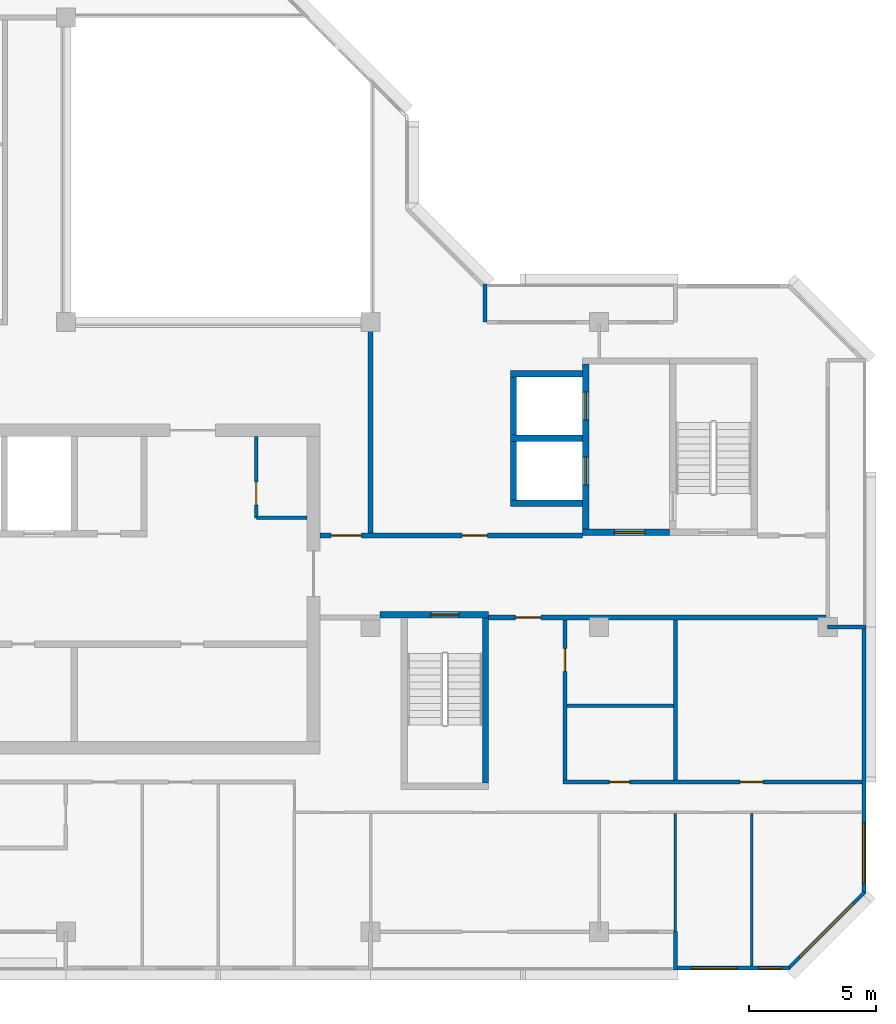
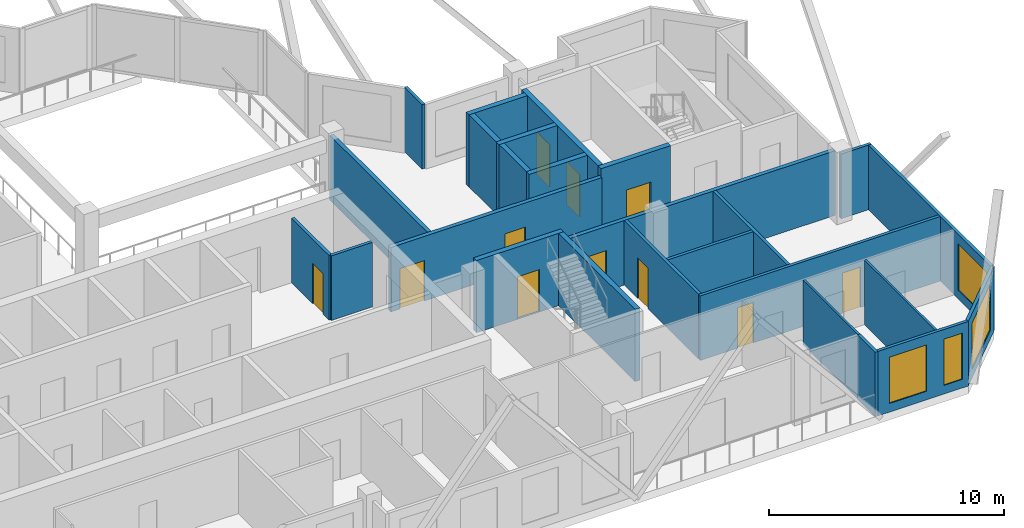
# One storey, part 6 of 12: 26 walls, 11 doors, 4 windows, 15 openings.
"""IFC4 building model written with IfcOpenShell, lengths in metres."""

from ifc_helpers import new_model, si_unit, direction, frame, frame_2d, origin, place, context, subcontext, project, spatial, rectangle, extrude, material, layer, layer_set, type_object, element, fill, save


model = new_model("IFC4")

# Units and contexts
model_context = context("Model", 3, precision=1e-05, world=origin(), true_north=direction((0.0, 1.0)))
body_context = subcontext(model_context, "Body", "Model", "MODEL_VIEW")
ifc_project = project(units=[si_unit("LENGTHUNIT", "METRE"), si_unit("AREAUNIT", "SQUARE_METRE"), si_unit("VOLUMEUNIT", "CUBIC_METRE"), si_unit("PLANEANGLEUNIT", "RADIAN"), si_unit("MASSUNIT", "GRAM", prefix="KILO")], contexts=[model_context])

# Site, building, storey
site_placement = place(None, origin())
site = spatial("IfcSite", under=ifc_project, at=site_placement, CompositionType="ELEMENT")
building_placement = place(site_placement, origin())
building = spatial("IfcBuilding", under=site, at=building_placement, Name="Chenar Terraces", CompositionType="ELEMENT")
storey_placement = place(building_placement, frame((0.0, 0.0, 346.39990234375)))
storey = spatial("IfcBuildingStorey", under=building, at=storey_placement, Name="L80", CompositionType="ELEMENT", Elevation=346.39990234375)

# Wall, opening, door
ifc_material_1 = material(Name="Gypsum board on steel studs", Category="steel")
ifc_layer_1 = layer(ifc_material_1, 0.14990234375)
ifc_layer_set_1 = layer_set([ifc_layer_1], Name="Gypsum board on steel studs")
wall_type_1 = type_object("IfcWallType", Name="Core partition 150 gypsum board", PredefinedType="PARTITIONING", material=ifc_layer_set_1)
wall_1_placement = place(storey_placement, frame((31.5, 16.300048828125, 0.0), z_axis=(0.0, 0.0, 1.0), x_axis=(0.0, 1.0, 0.0)))
wall_1 = element("IfcWall", 1, at=wall_1_placement, inside=storey, type_object=wall_type_1, Name="Core partition CP1 vestibule room west wall", PredefinedType="PARTITIONING", context=body_context, shape_type="SweptSolid", body=[
    extrude(rectangle(XDim=3.199951171875, YDim=0.14990234375, at=frame_2d((1.60009765625, 0.0))), origin(), (0.0, 0.0, 1.0), 3.35009765625),
])
opening_1_placement = place(wall_1_placement, frame((0.5, 0.0, 0.0)))
opening_1 = element("IfcOpeningElement", 2, at=opening_1_placement, cuts=wall_1, Name="Opening DL80-C17", PredefinedType="OPENING", context=body_context, shape_type="SweptSolid", body=[
    extrude(rectangle(XDim=0.89990234375, YDim=2.10009765625, at=frame_2d((0.449951171875, 1.050048828125))), frame((0.0, 0.0849609375, 0.0), z_axis=(0.0, -1.0, 0.0), x_axis=(1.0, 0.0, 0.0)), (0.0, 0.0, 1.0), 0.169921875),
])
ifc_material_2 = material(Name="Steel-framed fire-resisting door leaf", Category="steel")
door_type_1 = type_object("IfcDoorType", Name="Riser fire door FD60 900 x 2100", OperationType="SINGLE_SWING_LEFT", PredefinedType="DOOR", material=ifc_material_2)
door_1_placement = place(opening_1_placement, frame((0.89990234375, 0.0, 0.0), z_axis=(0.0, 0.0, 1.0), x_axis=(-1.0, 0.0, 0.0)))
door_1 = element("IfcDoor", 3, at=door_1_placement, inside=storey, type_object=door_type_1, Name="Core room door DL80-C17", OperationType="SINGLE_SWING_RIGHT", OverallHeight=2.10009765625, OverallWidth=0.89990234375, PredefinedType="DOOR", context=body_context, shape_type="SweptSolid", body=[
    extrude(rectangle(XDim=0.89990234375, YDim=2.10009765625, at=frame_2d((0.449951171875, 1.050048828125))), frame((0.0, 0.02490234375, 0.0), z_axis=(0.0, -1.0, 0.0), x_axis=(1.0, 0.0, 0.0)), (0.0, 0.0, 1.0), 0.050048828125),
])
fill(opening_1, door_1)

# Wall
wall_2_placement = place(storey_placement, frame((31.5, 16.300048828125, 0.0), z_axis=(0.0, 0.0, 1.0), x_axis=(1.0, 0.0, 0.0)))
element("IfcWall", 4, at=wall_2_placement, inside=storey, type_object=wall_type_1, Name="Core partition CP1 vestibule room south wall", PredefinedType="PARTITIONING", context=body_context, shape_type="SweptSolid", body=[
    extrude(rectangle(XDim=2.0, YDim=0.14990234375, at=frame_2d((1.0, 0.0))), origin(), (0.0, 0.0, 1.0), 3.35009765625),
])

# Wall, opening, door
ifc_material_3 = material(Name="Concrete C50/60", Category="concrete")
ifc_layer_2 = layer(ifc_material_3, 0.25)
ifc_layer_set_2 = layer_set([ifc_layer_2], Name="Concrete C50/60")
wall_type_2 = type_object("IfcWallType", Name="Core wall 250 Concrete C50/60", PredefinedType="SHEAR", material=ifc_layer_set_2)
wall_3_placement = place(storey_placement, frame((36.375, 12.47509765625, 0.0), z_axis=(0.0, 0.0, 1.0), x_axis=(1.0, 0.0, 0.0)))
wall_3 = element("IfcWall", 5, at=wall_3_placement, inside=storey, type_object=wall_type_2, Name="Core wall ST2_N L80", PredefinedType="SHEAR", context=body_context, shape_type="SweptSolid", body=[
    extrude(rectangle(XDim=4.27490234375, YDim=0.25, at=frame_2d((2.137451171875, 0.0))), origin(), (0.0, 0.0, 1.0), 3.75),
])
opening_2_placement = place(wall_3_placement, frame((2.0, 0.0, 0.0)))
opening_2 = element("IfcOpeningElement", 6, at=opening_2_placement, cuts=wall_3, Name="Opening DL80-C7", PredefinedType="OPENING", context=body_context, shape_type="SweptSolid", body=[
    extrude(rectangle(XDim=1.10009765625, YDim=2.199951171875, at=frame_2d((0.550048828125, 1.10009765625))), frame((0.0, 0.135009765625, 0.0), z_axis=(0.0, -1.0, 0.0), x_axis=(1.0, 0.0, 0.0)), (0.0, 0.0, 1.0), 0.27001953125),
])
ifc_material_4 = material(Name="Steel-framed fire-resisting door leaf", Category="steel")
door_type_2 = type_object("IfcDoorType", Name="Stair fire door FD60 1100 x 2200", OperationType="SINGLE_SWING_LEFT", PredefinedType="DOOR", material=ifc_material_4)
door_2_placement = place(opening_2_placement, frame((1.10009765625, 0.0, 0.0), z_axis=(0.0, 0.0, 1.0), x_axis=(-1.0, 0.0, 0.0)))
door_2 = element("IfcDoor", 7, at=door_2_placement, inside=storey, type_object=door_type_2, Name="Stair door DL80-C7", OperationType="SINGLE_SWING_LEFT", OverallHeight=2.199951171875, OverallWidth=1.10009765625, PredefinedType="DOOR", context=body_context, shape_type="SweptSolid", body=[
    extrude(rectangle(XDim=1.10009765625, YDim=2.199951171875, at=frame_2d((0.550048828125, 1.10009765625))), frame((0.0, 0.02490234375, 0.0), z_axis=(0.0, -1.0, 0.0), x_axis=(1.0, 0.0, 0.0)), (0.0, 0.0, 1.0), 0.050048828125),
])
fill(opening_2, door_2)

# Wall
wall_4_placement = place(storey_placement, frame((40.52490234375, 5.85009765625, 0.0), z_axis=(0.0, 0.0, 1.0), x_axis=(0.0, 1.0, 0.0)))
element("IfcWall", 8, at=wall_4_placement, inside=storey, type_object=wall_type_2, Name="Core wall ST2_E L80", PredefinedType="SHEAR", context=body_context, shape_type="SweptSolid", body=[
    extrude(rectangle(XDim=6.5, YDim=0.25, at=frame_2d((3.25, 0.0))), origin(), (0.0, 0.0, 1.0), 3.75),
])

# Wall, opening, door
wall_5_placement = place(storey_placement, frame((44.35009765625, 15.72509765625, 0.0), z_axis=(0.0, 0.0, 1.0), x_axis=(1.0, 0.0, 0.0)))
wall_5 = element("IfcWall", 9, at=wall_5_placement, inside=storey, type_object=wall_type_2, Name="Core wall F3_LS L80", PredefinedType="SHEAR", context=body_context, shape_type="SweptSolid", body=[
    extrude(rectangle(XDim=3.4248046875, YDim=0.25, at=frame_2d((1.71240234375, 0.0))), origin(), (0.0, 0.0, 1.0), 3.75),
])
opening_3_placement = place(wall_5_placement, frame((1.25, 0.0, 0.0)))
opening_3 = element("IfcOpeningElement", 10, at=opening_3_placement, cuts=wall_5, Name="Opening DL80-C10", PredefinedType="OPENING", context=body_context, shape_type="SweptSolid", body=[
    extrude(rectangle(XDim=1.199951171875, YDim=2.199951171875, at=frame_2d((0.60009765625, 1.10009765625))), frame((0.0, 0.135009765625, 0.0), z_axis=(0.0, -1.0, 0.0), x_axis=(1.0, 0.0, 0.0)), (0.0, 0.0, 1.0), 0.27001953125),
])
ifc_material_5 = material(Name="Steel-framed fire-resisting door leaf", Category="steel")
door_type_3 = type_object("IfcDoorType", Name="Lobby fire door FD60 1200 x 2200", OperationType="SINGLE_SWING_LEFT", PredefinedType="DOOR", material=ifc_material_5)
door_3_placement = place(opening_3_placement, origin())
door_3 = element("IfcDoor", 11, at=door_3_placement, inside=storey, type_object=door_type_3, Name="Core door DL80-C10", OperationType="SINGLE_SWING_RIGHT", OverallHeight=2.199951171875, OverallWidth=1.199951171875, PredefinedType="DOOR", context=body_context, shape_type="SweptSolid", body=[
    extrude(rectangle(XDim=1.199951171875, YDim=2.199951171875, at=frame_2d((0.60009765625, 1.10009765625))), frame((0.0, 0.02490234375, 0.0), z_axis=(0.0, -1.0, 0.0), x_axis=(1.0, 0.0, 0.0)), (0.0, 0.0, 1.0), 0.050048828125),
])
fill(opening_3, door_3)

# Wall, openings, doors
wall_6_placement = place(storey_placement, frame((44.47509765625, 15.85009765625, 0.0), z_axis=(0.0, 0.0, 1.0), x_axis=(0.0, 1.0, 0.0)))
wall_6 = element("IfcWall", 12, at=wall_6_placement, inside=storey, type_object=wall_type_2, Name="Core wall F3_LW L80", PredefinedType="SHEAR", context=body_context, shape_type="SweptSolid", body=[
    extrude(rectangle(XDim=6.5, YDim=0.25, at=frame_2d((3.25, 0.0))), origin(), (0.0, 0.0, 1.0), 3.75),
])
opening_4_placement = place(wall_6_placement, frame((1.75, 0.0, 0.0)))
opening_4 = element("IfcOpeningElement", 13, at=opening_4_placement, cuts=wall_6, Name="Opening DL80-LD8", PredefinedType="OPENING", context=body_context, shape_type="SweptSolid", body=[
    extrude(rectangle(XDim=1.10009765625, YDim=2.199951171875, at=frame_2d((0.550048828125, 1.10009765625))), frame((0.0, 0.135009765625, 0.0), z_axis=(0.0, -1.0, 0.0), x_axis=(1.0, 0.0, 0.0)), (0.0, 0.0, 1.0), 0.27001953125),
])
opening_5_placement = place(wall_6_placement, frame((4.300048828125, 0.0, 0.0)))
opening_5 = element("IfcOpeningElement", 14, at=opening_5_placement, cuts=wall_6, Name="Opening DL80-LD9", PredefinedType="OPENING", context=body_context, shape_type="SweptSolid", body=[
    extrude(rectangle(XDim=1.10009765625, YDim=2.199951171875, at=frame_2d((0.550048828125, 1.10009765625))), frame((0.0, 0.135009765625, 0.0), z_axis=(0.0, -1.0, 0.0), x_axis=(1.0, 0.0, 0.0)), (0.0, 0.0, 1.0), 0.27001953125),
])
ifc_material_6 = material(Name="Stainless steel", Category="steel")
door_type_4 = type_object("IfcDoorType", Name="Lift landing door 1100 x 2200 sliding", OperationType="DOUBLE_DOOR_SLIDING", PredefinedType="DOOR", material=ifc_material_6)
door_4_placement = place(opening_4_placement, origin())
door_4 = element("IfcDoor", 15, at=door_4_placement, inside=storey, type_object=door_type_4, Name="Landing door F3", OperationType="DOUBLE_DOOR_SLIDING", OverallHeight=2.199951171875, OverallWidth=1.10009765625, PredefinedType="DOOR", context=body_context, shape_type="SweptSolid", body=[
    extrude(rectangle(XDim=1.10009765625, YDim=2.199951171875, at=frame_2d((0.550048828125, 1.10009765625))), frame((0.0, 0.02490234375, 0.0), z_axis=(0.0, -1.0, 0.0), x_axis=(1.0, 0.0, 0.0)), (0.0, 0.0, 1.0), 0.050048828125),
])
fill(opening_4, door_4)
door_5_placement = place(opening_5_placement, origin())
door_5 = element("IfcDoor", 16, at=door_5_placement, inside=storey, type_object=door_type_4, Name="Landing door F4", OperationType="DOUBLE_DOOR_SLIDING", OverallHeight=2.199951171875, OverallWidth=1.10009765625, PredefinedType="DOOR", context=body_context, shape_type="SweptSolid", body=[
    extrude(rectangle(XDim=1.10009765625, YDim=2.199951171875, at=frame_2d((0.550048828125, 1.10009765625))), frame((0.0, 0.02490234375, 0.0), z_axis=(0.0, -1.0, 0.0), x_axis=(1.0, 0.0, 0.0)), (0.0, 0.0, 1.0), 0.050048828125),
])
fill(opening_5, door_5)

# Walls
for number, where, z_axis, x_axis, name in (
    (17, (41.5, 16.875, 0.0), (0.0, 0.0, 1.0), (1.0, 0.0, 0.0), "Core wall F3_SS L80"),
    (18, (41.5, 19.425048828125, 0.0), (0.0, 0.0, 1.0), (1.0, 0.0, 0.0), "Core wall F3_SM L80"),
    (19, (41.5, 21.97509765625, 0.0), (0.0, 0.0, 1.0), (1.0, 0.0, 0.0), "Core wall F4_SN L80"),
):
    element("IfcWall", number, at=place(storey_placement, frame(where, z_axis=z_axis, x_axis=x_axis)), inside=storey, type_object=wall_type_2, Name=name, PredefinedType="SHEAR", context=body_context, shape_type="SweptSolid", body=[
        extrude(rectangle(XDim=2.85009765625, YDim=0.25, at=frame_2d((1.425048828125, 0.0))), origin(), (0.0, 0.0, 1.0), 3.75),
    ])
for number, where, z_axis, x_axis, name in (
    (20, (41.625, 17.0, 0.0), (0.0, 0.0, 1.0), (0.0, 1.0, 0.0), "Core wall F3_SW L80"),
    (21, (41.625, 19.550048828125, 0.0), (0.0, 0.0, 1.0), (0.0, 1.0, 0.0), "Core wall F4_SW L80"),
):
    element("IfcWall", number, at=place(storey_placement, frame(where, z_axis=z_axis, x_axis=x_axis)), inside=storey, type_object=wall_type_2, Name=name, PredefinedType="SHEAR", context=body_context, shape_type="SweptSolid", body=[
        extrude(rectangle(XDim=2.300048828125, YDim=0.25, at=frame_2d((1.14990234375, 0.0))), origin(), (0.0, 0.0, 1.0), 3.75),
    ])

# Wall, openings, doors
ifc_material_7 = material(Name="Gypsum board on steel studs with fire boards", Category="steel")
ifc_layer_3 = layer(ifc_material_7, 0.199951171875)
ifc_layer_set_3 = layer_set([ifc_layer_3], Name="Gypsum board on steel studs with fire boards")
wall_type_3 = type_object("IfcWallType", Name="Corridor wall 200", PredefinedType="PARTITIONING", material=ifc_layer_set_3)
wall_7_placement = place(storey_placement, frame((34.0, 15.60009765625, 0.0), z_axis=(0.0, 0.0, 1.0), x_axis=(1.0, 0.0, 0.0)))
wall_7 = element("IfcWall", 22, at=wall_7_placement, inside=storey, type_object=wall_type_3, Name="Partition L80-052", PredefinedType="PARTITIONING", context=body_context, shape_type="SweptSolid", body=[
    extrude(rectangle(XDim=10.35009765625, YDim=0.199951171875, at=frame_2d((5.175048828125, 0.0))), origin(), (0.0, 0.0, 1.0), 3.35009765625),
])
opening_6_placement = place(wall_7_placement, frame((5.60009765625, 0.0, 0.0)))
opening_6 = element("IfcOpeningElement", 23, at=opening_6_placement, cuts=wall_7, Name="Opening DL80-3", PredefinedType="OPENING", context=body_context, shape_type="SweptSolid", body=[
    extrude(rectangle(XDim=1.0, YDim=2.10009765625, at=frame_2d((0.5, 1.050048828125))), frame((0.0, 0.10986328125, 0.0), z_axis=(0.0, -1.0, 0.0), x_axis=(1.0, 0.0, 0.0)), (0.0, 0.0, 1.0), 0.219970703125),
])
opening_7_placement = place(wall_7_placement, frame((0.449951171875, 0.0, 0.0)))
opening_7 = element("IfcOpeningElement", 24, at=opening_7_placement, cuts=wall_7, Name="Opening DL80-20", PredefinedType="OPENING", context=body_context, shape_type="SweptSolid", body=[
    extrude(rectangle(XDim=1.199951171875, YDim=2.10009765625, at=frame_2d((0.60009765625, 1.050048828125))), frame((0.0, 0.10986328125, 0.0), z_axis=(0.0, -1.0, 0.0), x_axis=(1.0, 0.0, 0.0)), (0.0, 0.0, 1.0), 0.219970703125),
])
ifc_material_8 = material(Name="Steel-framed fire-resisting door leaf", Category="steel")
door_type_5 = type_object("IfcDoorType", Name="Fire door FD60 1000 x 2100", OperationType="SINGLE_SWING_LEFT", PredefinedType="DOOR", material=ifc_material_8)
door_6_placement = place(opening_6_placement, origin())
door_6 = element("IfcDoor", 25, at=door_6_placement, inside=storey, type_object=door_type_5, Name="Door DL80-3", OperationType="SINGLE_SWING_RIGHT", OverallHeight=2.10009765625, OverallWidth=1.0, PredefinedType="DOOR", context=body_context, shape_type="SweptSolid", body=[
    extrude(rectangle(XDim=1.0, YDim=2.10009765625, at=frame_2d((0.5, 1.050048828125))), frame((0.0, 0.02490234375, 0.0), z_axis=(0.0, -1.0, 0.0), x_axis=(1.0, 0.0, 0.0)), (0.0, 0.0, 1.0), 0.050048828125),
])
fill(opening_6, door_6)
ifc_material_9 = material(Name="Steel-framed fire-resisting door leaf", Category="steel")
door_type_6 = type_object("IfcDoorType", Name="Fire door FD60 1200 x 2100", OperationType="SINGLE_SWING_LEFT", PredefinedType="DOOR", material=ifc_material_9)
door_7_placement = place(opening_7_placement, origin())
door_7 = element("IfcDoor", 26, at=door_7_placement, inside=storey, type_object=door_type_6, Name="Door DL80-20", OperationType="SINGLE_SWING_RIGHT", OverallHeight=2.10009765625, OverallWidth=1.199951171875, PredefinedType="DOOR", context=body_context, shape_type="SweptSolid", body=[
    extrude(rectangle(XDim=1.199951171875, YDim=2.10009765625, at=frame_2d((0.60009765625, 1.050048828125))), frame((0.0, 0.02490234375, 0.0), z_axis=(0.0, -1.0, 0.0), x_axis=(1.0, 0.0, 0.0)), (0.0, 0.0, 1.0), 0.050048828125),
])
fill(opening_7, door_7)

# Wall
wall_8_placement = place(storey_placement, frame((36.0, 15.699951171875, 0.0), z_axis=(0.0, 0.0, 1.0), x_axis=(0.0, 1.0, 0.0)))
element("IfcWall", 27, at=wall_8_placement, inside=storey, type_object=wall_type_3, Name="Partition L80-054", PredefinedType="PARTITIONING", context=body_context, shape_type="SweptSolid", body=[
    extrude(rectangle(XDim=8.300048828125, YDim=0.199951171875, at=frame_2d((4.14990234375, 0.0))), origin(), (0.0, 0.0, 1.0), 3.35009765625),
])

# Wall, opening, door
wall_9_placement = place(storey_placement, frame((40.64990234375, 12.375, 0.0), z_axis=(0.0, 0.0, 1.0), x_axis=(1.0, 0.0, 0.0)))
wall_9 = element("IfcWall", 28, at=wall_9_placement, inside=storey, type_object=wall_type_3, Name="Partition L80-055", PredefinedType="PARTITIONING", context=body_context, shape_type="SweptSolid", body=[
    extrude(rectangle(XDim=13.276123046875, YDim=0.199951171875, at=frame_2d((6.63818359375, 0.0))), origin(), (0.0, 0.0, 1.0), 3.35009765625),
])
opening_8_placement = place(wall_9_placement, frame((1.050048828125, 0.0, 0.0)))
opening_8 = element("IfcOpeningElement", 29, at=opening_8_placement, cuts=wall_9, Name="Opening DL80-37", PredefinedType="OPENING", context=body_context, shape_type="SweptSolid", body=[
    extrude(rectangle(XDim=1.0, YDim=2.10009765625, at=frame_2d((0.5, 1.050048828125))), frame((0.0, 0.10986328125, 0.0), z_axis=(0.0, -1.0, 0.0), x_axis=(1.0, 0.0, 0.0)), (0.0, 0.0, 1.0), 0.219970703125),
])
ifc_material_10 = material(Name="Steel-framed fire-resisting door leaf", Category="steel")
door_type_7 = type_object("IfcDoorType", Name="Fire door FD30S 1000 x 2100", OperationType="SINGLE_SWING_LEFT", PredefinedType="DOOR", material=ifc_material_10)
door_8_placement = place(opening_8_placement, origin())
door_8 = element("IfcDoor", 30, at=door_8_placement, inside=storey, type_object=door_type_7, Name="Door DL80-37", OperationType="SINGLE_SWING_LEFT", OverallHeight=2.10009765625, OverallWidth=1.0, PredefinedType="DOOR", context=body_context, shape_type="SweptSolid", body=[
    extrude(rectangle(XDim=1.0, YDim=2.10009765625, at=frame_2d((0.5, 1.050048828125))), frame((0.0, 0.02490234375, 0.0), z_axis=(0.0, -1.0, 0.0), x_axis=(1.0, 0.0, 0.0)), (0.0, 0.0, 1.0), 0.050048828125),
])
fill(opening_8, door_8)

# Wall, openings, windows
ifc_material_11 = material(Name="Aluminium framed glazing", Category="aluminium")
ifc_layer_4 = layer(ifc_material_11, 0.14990234375)
ifc_layer_set_4 = layer_set([ifc_layer_4], Name="Aluminium framed glazing")
wall_type_4 = type_object("IfcWallType", Name="Glazed flush facade wall 150", PredefinedType="SOLIDWALL", material=ifc_layer_set_4)
wall_10_placement = place(storey_placement, frame((48.074951171875, -1.425048828125, 0.0), z_axis=(0.0, 0.0, 1.0), x_axis=(1.0, 0.0, 0.0)))
wall_10 = element("IfcWall", 31, at=wall_10_placement, inside=storey, type_object=wall_type_4, Name="Glazed flush facade wall", PredefinedType="SOLIDWALL", context=body_context, shape_type="SweptSolid", body=[
    extrude(rectangle(XDim=4.425048828125, YDim=0.14990234375, at=frame_2d((2.21240234375, 0.0))), origin(), (0.0, 0.0, 1.0), 3.35009765625),
])
opening_9_placement = place(wall_10_placement, frame((0.5625, 0.0, 0.449951171875)))
opening_9 = element("IfcOpeningElement", 32, at=opening_9_placement, cuts=wall_10, Name="Opening W180x240", PredefinedType="OPENING", context=body_context, shape_type="SweptSolid", body=[
    extrude(rectangle(XDim=1.800048828125, YDim=2.39990234375, at=frame_2d((0.89990234375, 1.199951171875))), frame((0.0, 0.0849609375, 0.0), z_axis=(0.0, -1.0, 0.0), x_axis=(1.0, 0.0, 0.0)), (0.0, 0.0, 1.0), 0.169921875),
])
opening_10_placement = place(wall_10_placement, frame((3.22509765625, 0.0, 0.449951171875)))
opening_10 = element("IfcOpeningElement", 33, at=opening_10_placement, cuts=wall_10, Name="Opening W90x240", PredefinedType="OPENING", context=body_context, shape_type="SweptSolid", body=[
    extrude(rectangle(XDim=0.89990234375, YDim=2.39990234375, at=frame_2d((0.449951171875, 1.199951171875))), frame((0.0, 0.0849609375, 0.0), z_axis=(0.0, -1.0, 0.0), x_axis=(1.0, 0.0, 0.0)), (0.0, 0.0, 1.0), 0.169921875),
])
ifc_material_12 = material(Name="Low emissivity double glazing, aluminium frame", Category="aluminium")
window_type_1 = type_object("IfcWindowType", Name="Fixed light 1800 x 2400", PartitioningType="SINGLE_PANEL", PredefinedType="WINDOW", material=ifc_material_12)
window_1_placement = place(opening_9_placement, origin())
window_1 = element("IfcWindow", 34, at=window_1_placement, inside=storey, type_object=window_type_1, Name="Window", OverallHeight=2.39990234375, OverallWidth=1.800048828125, PartitioningType="SINGLE_PANEL", PredefinedType="WINDOW", context=body_context, shape_type="SweptSolid", body=[
    extrude(rectangle(XDim=1.800048828125, YDim=2.39990234375, at=frame_2d((0.89990234375, 1.199951171875))), frame((0.0, 0.030029296875, 0.0), z_axis=(0.0, -1.0, 0.0), x_axis=(1.0, 0.0, 0.0)), (0.0, 0.0, 1.0), 0.06005859375),
])
fill(opening_9, window_1)
ifc_material_13 = material(Name="Low emissivity double glazing, aluminium frame", Category="aluminium")
window_type_2 = type_object("IfcWindowType", Name="Fixed light 900 x 2400", PartitioningType="SINGLE_PANEL", PredefinedType="WINDOW", material=ifc_material_13)
window_2_placement = place(opening_10_placement, origin())
window_2 = element("IfcWindow", 35, at=window_2_placement, inside=storey, type_object=window_type_2, Name="Window", OverallHeight=2.39990234375, OverallWidth=0.89990234375, PartitioningType="SINGLE_PANEL", PredefinedType="WINDOW", context=body_context, shape_type="SweptSolid", body=[
    extrude(rectangle(XDim=0.89990234375, YDim=2.39990234375, at=frame_2d((0.449951171875, 1.199951171875))), frame((0.0, 0.030029296875, 0.0), z_axis=(0.0, -1.0, 0.0), x_axis=(1.0, 0.0, 0.0)), (0.0, 0.0, 1.0), 0.06005859375),
])
fill(opening_10, window_2)

# Wall, opening, window
wall_11_placement = place(storey_placement, frame((55.425048828125, 1.5, 0.0), z_axis=(0.0, 0.0, 1.0), x_axis=(0.0, 1.0, 0.0)))
wall_11 = element("IfcWall", 36, at=wall_11_placement, inside=storey, type_object=wall_type_4, Name="Glazed flush facade wall", PredefinedType="SOLIDWALL", context=body_context, shape_type="SweptSolid", body=[
    extrude(rectangle(XDim=10.425048828125, YDim=0.14990234375, at=frame_2d((5.21240234375, 0.0))), origin(), (0.0, 0.0, 1.0), 3.35009765625),
])
opening_11_placement = place(wall_11_placement, frame((0.39990234375, 0.0, 0.449951171875)))
opening_11 = element("IfcOpeningElement", 37, at=opening_11_placement, cuts=wall_11, Name="Opening W240x240", PredefinedType="OPENING", context=body_context, shape_type="SweptSolid", body=[
    extrude(rectangle(XDim=2.39990234375, YDim=2.39990234375, at=frame_2d((1.199951171875, 1.199951171875))), frame((0.0, 0.0849609375, 0.0), z_axis=(0.0, -1.0, 0.0), x_axis=(1.0, 0.0, 0.0)), (0.0, 0.0, 1.0), 0.169921875),
])
ifc_material_14 = material(Name="Low emissivity double glazing, aluminium frame", Category="aluminium")
window_type_3 = type_object("IfcWindowType", Name="Fixed light 2400 x 2400", PartitioningType="SINGLE_PANEL", PredefinedType="WINDOW", material=ifc_material_14)
window_3_placement = place(opening_11_placement, origin())
window_3 = element("IfcWindow", 38, at=window_3_placement, inside=storey, type_object=window_type_3, Name="Window", OverallHeight=2.39990234375, OverallWidth=2.39990234375, PartitioningType="SINGLE_PANEL", PredefinedType="WINDOW", context=body_context, shape_type="SweptSolid", body=[
    extrude(rectangle(XDim=2.39990234375, YDim=2.39990234375, at=frame_2d((1.199951171875, 1.199951171875))), frame((0.0, 0.030029296875, 0.0), z_axis=(0.0, -1.0, 0.0), x_axis=(1.0, 0.0, 0.0)), (0.0, 0.0, 1.0), 0.06005859375),
])
fill(opening_11, window_3)

# Walls
ifc_material_15 = material(Name="Gypsum board on steel studs", Category="steel")
ifc_layer_5 = layer(ifc_material_15, 0.10009765625)
ifc_layer_set_5 = layer_set([ifc_layer_5], Name="Gypsum board on steel studs")
wall_type_5 = type_object("IfcWallType", Name="Gypsum partition 100", PredefinedType="PARTITIONING", material=ifc_layer_set_5)
wall_12_placement = place(storey_placement, frame((48.0, 0.0, 0.0), z_axis=(0.0, 0.0, 1.0), x_axis=(0.0, 1.0, 0.0)))
element("IfcWall", 39, at=wall_12_placement, inside=storey, type_object=wall_type_5, Name="Partition L80-061", PredefinedType="PARTITIONING", context=body_context, shape_type="SweptSolid", body=[
    extrude(rectangle(XDim=4.64990234375, YDim=0.10009765625, at=frame_2d((2.324951171875, 0.0))), origin(), (0.0, 0.0, 1.0), 3.35009765625),
])
wall_13_placement = place(storey_placement, frame((51.0, -1.35107421875, 0.0), z_axis=(0.0, 0.0, 1.0), x_axis=(0.0, 1.0, 0.0)))
element("IfcWall", 40, at=wall_13_placement, inside=storey, type_object=wall_type_5, Name="Partition L80-063", PredefinedType="PARTITIONING", context=body_context, shape_type="SweptSolid", body=[
    extrude(rectangle(XDim=6.0009765625, YDim=0.10009765625, at=frame_2d((3.00048828125, 0.0))), origin(), (0.0, 0.0, 1.0), 3.35009765625),
])
ifc_material_16 = material(Name="Terracotta cladding on insulated backing", Category="masonry")
ifc_layer_6 = layer(ifc_material_16, 0.14990234375)
ifc_layer_set_6 = layer_set([ifc_layer_6], Name="Terracotta cladding on insulated backing")
wall_type_6 = type_object("IfcWallType", Name="Loggia return wall 150", PredefinedType="SOLIDWALL", material=ifc_layer_set_6)
for number, where, z_axis, x_axis, name in (
    (41, (40.5, 25.5, 0.0), (0.0, 0.0, 1.0), (0.0, -1.0, 0.0), "Loggia return wall"),
    (42, (48.0, -1.5, 0.0), (0.0, 0.0, 1.0), (0.0, 1.0, 0.0), "Loggia return wall"),
    (43, (55.5, 12.0, 0.0), (0.0, 0.0, 1.0), (-1.0, 0.0, 0.0), "Loggia return wall"),
):
    element("IfcWall", number, at=place(storey_placement, frame(where, z_axis=z_axis, x_axis=x_axis)), inside=storey, type_object=wall_type_6, Name=name, PredefinedType="SOLIDWALL", context=body_context, shape_type="SweptSolid", body=[
        extrude(rectangle(XDim=1.5, YDim=0.14990234375, at=frame_2d((0.75, 0.0))), origin(), (0.0, 0.0, 1.0), 3.35009765625),
    ])

# Wall, opening, window
ifc_material_17 = material(Name="Terracotta cladding on insulated backing", Category="masonry")
ifc_layer_7 = layer(ifc_material_17, 0.14990234375)
ifc_layer_set_7 = layer_set([ifc_layer_7], Name="Terracotta cladding on insulated backing")
wall_type_7 = type_object("IfcWallType", Name="Terracotta rainscreen wall 150", PredefinedType="SOLIDWALL", material=ifc_layer_set_7)
wall_14_placement = place(storey_placement, frame((52.447021484375, -1.447021484375, 0.0), z_axis=(0.0, 0.0, 1.0), x_axis=(0.707106781187, 0.707106781187, 0.0)))
wall_14 = element("IfcWall", 44, at=wall_14_placement, inside=storey, type_object=wall_type_7, Name="Terracotta rainscreen wall", PredefinedType="SOLIDWALL", context=body_context, shape_type="SweptSolid", body=[
    extrude(rectangle(XDim=4.24267578125, YDim=0.14990234375, at=frame_2d((2.121337890625, 0.0))), origin(), (0.0, 0.0, 1.0), 3.35009765625),
])
opening_12_placement = place(wall_14_placement, frame((0.621337890625, 0.0, 0.449951171875)))
opening_12 = element("IfcOpeningElement", 45, at=opening_12_placement, cuts=wall_14, Name="Opening W300x240", PredefinedType="OPENING", context=body_context, shape_type="SweptSolid", body=[
    extrude(rectangle(XDim=3.0, YDim=2.39990234375, at=frame_2d((1.5, 1.199951171875))), frame((0.0, 0.0849609375, 0.0), z_axis=(0.0, -1.0, 0.0), x_axis=(1.0, 0.0, 0.0)), (0.0, 0.0, 1.0), 0.169921875),
])
ifc_material_18 = material(Name="Low emissivity double glazing, aluminium frame", Category="aluminium")
window_type_4 = type_object("IfcWindowType", Name="Fixed light 3000 x 2400", PartitioningType="SINGLE_PANEL", PredefinedType="WINDOW", material=ifc_material_18)
window_4_placement = place(opening_12_placement, origin())
window_4 = element("IfcWindow", 46, at=window_4_placement, inside=storey, type_object=window_type_4, Name="Window", OverallHeight=2.39990234375, OverallWidth=3.0, PartitioningType="SINGLE_PANEL", PredefinedType="WINDOW", context=body_context, shape_type="SweptSolid", body=[
    extrude(rectangle(XDim=3.0, YDim=2.39990234375, at=frame_2d((1.5, 1.199951171875))), frame((0.0, 0.030029296875, 0.0), z_axis=(0.0, -1.0, 0.0), x_axis=(1.0, 0.0, 0.0)), (0.0, 0.0, 1.0), 0.06005859375),
])
fill(opening_12, window_4)

# Wall, openings, doors
ifc_material_19 = material(Name="Moisture-resistant gypsum board on steel studs", Category="steel")
ifc_layer_8 = layer(ifc_material_19, 0.14990234375)
ifc_layer_set_8 = layer_set([ifc_layer_8], Name="Moisture-resistant gypsum board on steel studs")
wall_type_8 = type_object("IfcWallType", Name="Wet-room partition 150", PredefinedType="PARTITIONING", material=ifc_layer_set_8)
wall_15_placement = place(storey_placement, frame((43.574951171875, 5.89990234375, 0.0), z_axis=(0.0, 0.0, 1.0), x_axis=(1.0, 0.0, 0.0)))
wall_15 = element("IfcWall", 47, at=wall_15_placement, inside=storey, type_object=wall_type_8, Name="Partition L80-056", PredefinedType="PARTITIONING", context=body_context, shape_type="SweptSolid", body=[
    extrude(rectangle(XDim=11.775146484375, YDim=0.14990234375, at=frame_2d((5.8876953125, 0.0))), origin(), (0.0, 0.0, 1.0), 3.35009765625),
])
opening_13_placement = place(wall_15_placement, frame((1.824951171875, 0.0, 0.0)))
opening_13 = element("IfcOpeningElement", 48, at=opening_13_placement, cuts=wall_15, Name="Opening DL80-25", PredefinedType="OPENING", context=body_context, shape_type="SweptSolid", body=[
    extrude(rectangle(XDim=0.800048828125, YDim=2.10009765625, at=frame_2d((0.39990234375, 1.050048828125))), frame((0.0, 0.0849609375, 0.0), z_axis=(0.0, -1.0, 0.0), x_axis=(1.0, 0.0, 0.0)), (0.0, 0.0, 1.0), 0.169921875),
])
opening_14_placement = place(wall_15_placement, frame((6.97509765625, 0.0, 0.0)))
opening_14 = element("IfcOpeningElement", 49, at=opening_14_placement, cuts=wall_15, Name="Opening DL80-35", PredefinedType="OPENING", context=body_context, shape_type="SweptSolid", body=[
    extrude(rectangle(XDim=0.89990234375, YDim=2.10009765625, at=frame_2d((0.449951171875, 1.050048828125))), frame((0.0, 0.0849609375, 0.0), z_axis=(0.0, -1.0, 0.0), x_axis=(1.0, 0.0, 0.0)), (0.0, 0.0, 1.0), 0.169921875),
])
ifc_material_20 = material(Name="Veneered timber door leaf", Category="wood")
door_type_8 = type_object("IfcDoorType", Name="Door 800 x 2100", OperationType="SINGLE_SWING_LEFT", PredefinedType="DOOR", material=ifc_material_20)
door_9_placement = place(opening_13_placement, origin())
door_9 = element("IfcDoor", 50, at=door_9_placement, inside=storey, type_object=door_type_8, Name="Door DL80-25", OperationType="SINGLE_SWING_RIGHT", OverallHeight=2.10009765625, OverallWidth=0.800048828125, PredefinedType="DOOR", context=body_context, shape_type="SweptSolid", body=[
    extrude(rectangle(XDim=0.800048828125, YDim=2.10009765625, at=frame_2d((0.39990234375, 1.050048828125))), frame((0.0, 0.02490234375, 0.0), z_axis=(0.0, -1.0, 0.0), x_axis=(1.0, 0.0, 0.0)), (0.0, 0.0, 1.0), 0.050048828125),
])
fill(opening_13, door_9)
ifc_material_21 = material(Name="Veneered timber door leaf", Category="wood")
door_type_9 = type_object("IfcDoorType", Name="Door 900 x 2100", OperationType="SINGLE_SWING_LEFT", PredefinedType="DOOR", material=ifc_material_21)
door_10_placement = place(opening_14_placement, origin())
door_10 = element("IfcDoor", 51, at=door_10_placement, inside=storey, type_object=door_type_9, Name="Door DL80-35", OperationType="SINGLE_SWING_RIGHT", OverallHeight=2.10009765625, OverallWidth=0.89990234375, PredefinedType="DOOR", context=body_context, shape_type="SweptSolid", body=[
    extrude(rectangle(XDim=0.89990234375, YDim=2.10009765625, at=frame_2d((0.449951171875, 1.050048828125))), frame((0.0, 0.02490234375, 0.0), z_axis=(0.0, -1.0, 0.0), x_axis=(1.0, 0.0, 0.0)), (0.0, 0.0, 1.0), 0.050048828125),
])
fill(opening_14, door_10)

# Wall, opening, door
wall_16_placement = place(storey_placement, frame((43.64990234375, 5.97509765625, 0.0), z_axis=(0.0, 0.0, 1.0), x_axis=(0.0, 1.0, 0.0)))
wall_16 = element("IfcWall", 52, at=wall_16_placement, inside=storey, type_object=wall_type_8, Name="Partition L80-057", PredefinedType="PARTITIONING", context=body_context, shape_type="SweptSolid", body=[
    extrude(rectangle(XDim=6.2998046875, YDim=0.14990234375, at=frame_2d((3.14990234375, 0.0))), origin(), (0.0, 0.0, 1.0), 3.35009765625),
])
opening_15_placement = place(wall_16_placement, frame((4.27490234375, 0.0, 0.0)))
opening_15 = element("IfcOpeningElement", 53, at=opening_15_placement, cuts=wall_16, Name="Opening DL80-38", PredefinedType="OPENING", context=body_context, shape_type="SweptSolid", body=[
    extrude(rectangle(XDim=0.89990234375, YDim=2.10009765625, at=frame_2d((0.449951171875, 1.050048828125))), frame((0.0, 0.0849609375, 0.0), z_axis=(0.0, -1.0, 0.0), x_axis=(1.0, 0.0, 0.0)), (0.0, 0.0, 1.0), 0.169921875),
])
door_11_placement = place(opening_15_placement, frame((0.89990234375, 0.0, 0.0), z_axis=(0.0, 0.0, 1.0), x_axis=(-1.0, 0.0, 0.0)))
door_11 = element("IfcDoor", 54, at=door_11_placement, inside=storey, type_object=door_type_9, Name="Door DL80-38", OperationType="SINGLE_SWING_LEFT", OverallHeight=2.10009765625, OverallWidth=0.89990234375, PredefinedType="DOOR", context=body_context, shape_type="SweptSolid", body=[
    extrude(rectangle(XDim=0.89990234375, YDim=2.10009765625, at=frame_2d((0.449951171875, 1.050048828125))), frame((0.0, 0.02490234375, 0.0), z_axis=(0.0, -1.0, 0.0), x_axis=(1.0, 0.0, 0.0)), (0.0, 0.0, 1.0), 0.050048828125),
])
fill(opening_15, door_11)

# Walls
wall_17_placement = place(storey_placement, frame((43.72509765625, 8.89990234375, 0.0), z_axis=(0.0, 0.0, 1.0), x_axis=(1.0, 0.0, 0.0)))
element("IfcWall", 55, at=wall_17_placement, inside=storey, type_object=wall_type_8, Name="Partition L80-058", PredefinedType="PARTITIONING", context=body_context, shape_type="SweptSolid", body=[
    extrude(rectangle(XDim=4.199951171875, YDim=0.14990234375, at=frame_2d((2.10009765625, 0.0))), origin(), (0.0, 0.0, 1.0), 3.35009765625),
])
wall_18_placement = place(storey_placement, frame((48.0, 5.97509765625, 0.0), z_axis=(0.0, 0.0, 1.0), x_axis=(0.0, 1.0, 0.0)))
element("IfcWall", 56, at=wall_18_placement, inside=storey, type_object=wall_type_8, Name="Partition L80-062", PredefinedType="PARTITIONING", context=body_context, shape_type="SweptSolid", body=[
    extrude(rectangle(XDim=6.2998046875, YDim=0.14990234375, at=frame_2d((3.14990234375, 0.0))), origin(), (0.0, 0.0, 1.0), 3.35009765625),
])

save(model, "model.ifc")
